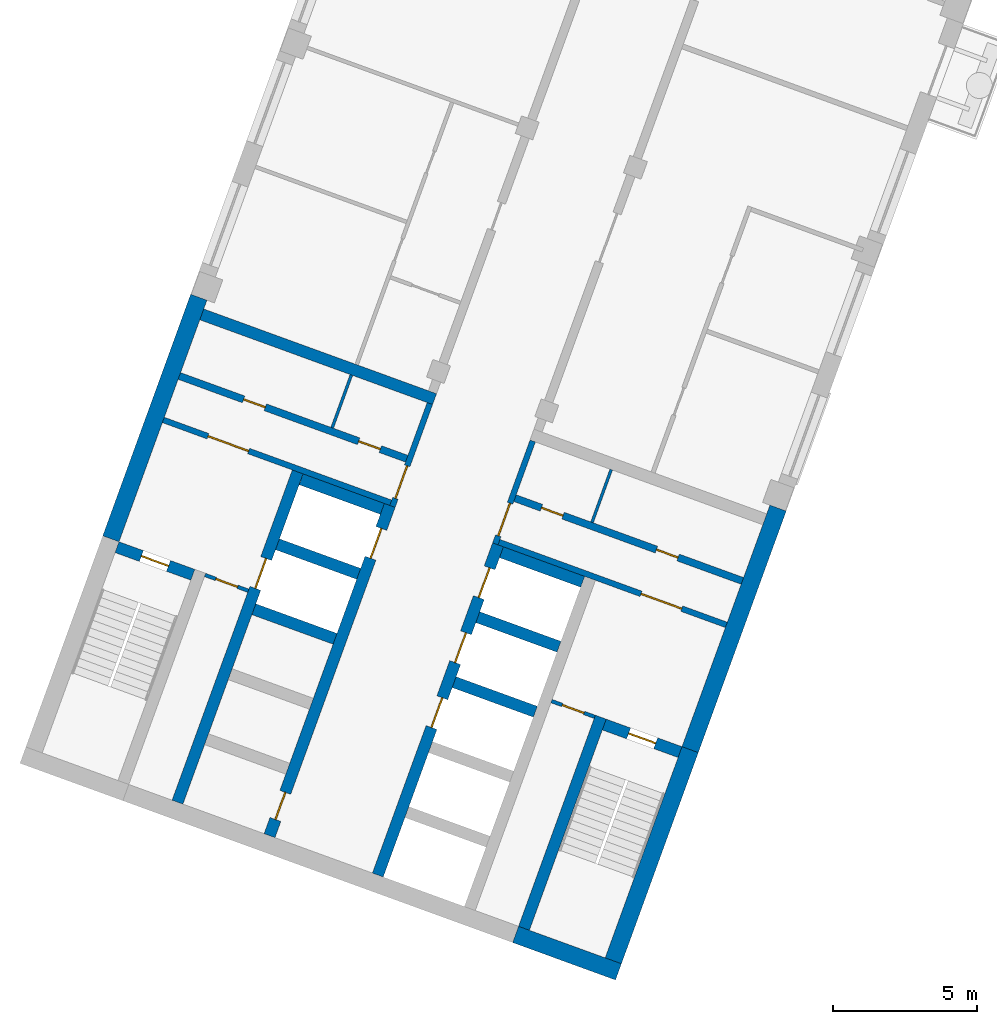
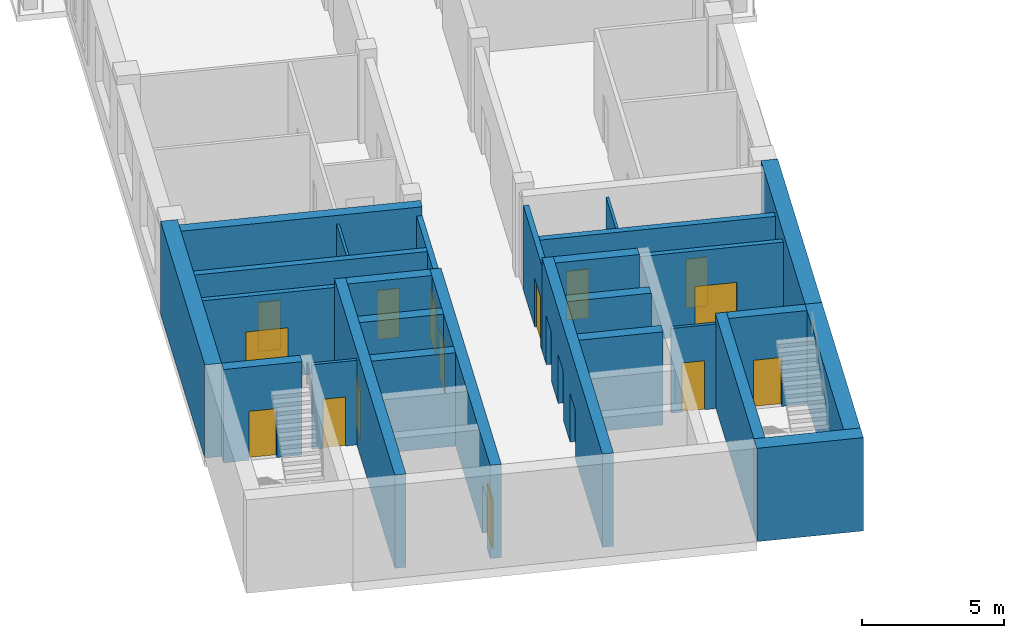
# One storey, part 4 of 12: 27 walls, 18 doors, 18 openings.
"""IFC4 building model written with IfcOpenShell, lengths in metres."""

from ifc_helpers import new_model, si_unit, direction, frame, frame_2d, origin, place, context, subcontext, project, spatial, rectangle, extrude, material, layer, layer_set, type_object, element, fill, save


model = new_model("IFC4")

# Units and contexts
model_context = context("Model", 3, precision=1e-05, world=origin(), true_north=direction((0.0, 1.0)))
body_context = subcontext(model_context, "Body", "Model", "MODEL_VIEW")
ifc_project = project(units=[si_unit("LENGTHUNIT", "METRE"), si_unit("AREAUNIT", "SQUARE_METRE"), si_unit("VOLUMEUNIT", "CUBIC_METRE"), si_unit("PLANEANGLEUNIT", "RADIAN"), si_unit("MASSUNIT", "GRAM", prefix="KILO")], contexts=[model_context])

# Site, building, storey
site_placement = place(None, origin())
site = spatial("IfcSite", under=ifc_project, at=site_placement, CompositionType="ELEMENT")
building_placement = place(site_placement, origin())
building = spatial("IfcBuilding", under=site, at=building_placement, Name="Skarvind Civic Tower", CompositionType="ELEMENT")
storey_placement = place(building_placement, frame((0.0, 0.0, 117.0)))
storey = spatial("IfcBuildingStorey", under=building, at=storey_placement, Name="L27", CompositionType="ELEMENT", Elevation=117.0)

# Wall, opening, door
ifc_material_1 = material(Name="Fire-rated masonry partition", Category="masonry")
ifc_layer_1 = layer(ifc_material_1, 0.199951171875)
ifc_layer_set_1 = layer_set([ifc_layer_1], Name="Core enclosure wall 200")
wall_type_1 = type_object("IfcWallType", Name="Core enclosure wall 200", PredefinedType="PARTITIONING", material=ifc_layer_set_1)
wall_1_placement = place(storey_placement, frame((31.491455078125, 93.693359375, 0.0), z_axis=(0.0, 0.0, 1.0), x_axis=(0.341995824804, 0.939701471648, 0.0)))
wall_1 = element("IfcWall", 1, at=wall_1_placement, inside=storey, type_object=wall_type_1, Name="Core wall C2", PredefinedType="PARTITIONING", context=body_context, shape_type="SweptSolid", body=[
    extrude(rectangle(XDim=3.800048828125, YDim=0.199951171875, at=frame_2d((1.89990234375, 0.0))), origin(), (0.0, 0.0, 1.0), 3.625),
])
opening_1_placement = place(wall_1_placement, frame((0.300048828125, 0.0, 0.0)))
opening_1 = element("IfcOpeningElement", 2, at=opening_1_placement, cuts=wall_1, Name="Opening D-L27-C2-06", PredefinedType="OPENING", context=body_context, shape_type="SweptSolid", body=[
    extrude(rectangle(XDim=1.199951171875, YDim=2.10009765625, at=frame_2d((0.60009765625, 1.050048828125))), frame((0.0, 0.10986328125, 0.0), z_axis=(0.0, -1.0, 0.0), x_axis=(1.0, 0.0, 0.0)), (0.0, 0.0, 1.0), 0.219970703125),
])
ifc_material_2 = material(Name="Fire-rated steel door", Category="steel")
door_type_1 = type_object("IfcDoorType", Name="Core lobby door 1200", OperationType="NOTDEFINED", PredefinedType="DOOR", material=ifc_material_2)
door_1_placement = place(opening_1_placement, origin())
door_1 = element("IfcDoor", 3, at=door_1_placement, inside=storey, type_object=door_type_1, Name="Fire door", OperationType="DOUBLE_DOOR_SINGLE_SWING", OverallHeight=2.10009765625, OverallWidth=1.199951171875, PredefinedType="DOOR", context=body_context, shape_type="SweptSolid", body=[
    extrude(rectangle(XDim=1.199951171875, YDim=2.10009765625, at=frame_2d((0.60009765625, 1.050048828125))), frame((0.0, 0.02490234375, 0.0), z_axis=(0.0, -1.0, 0.0), x_axis=(1.0, 0.0, 0.0)), (0.0, 0.0, 1.0), 0.050048828125),
])
fill(opening_1, door_1)

wall_2_placement = place(storey_placement, frame((23.5380859375, 96.6943359375, 0.0), z_axis=(0.0, 0.0, 1.0), x_axis=(0.939691552312, -0.342023078919, 0.0)))
wall_2 = element("IfcWall", 4, at=wall_2_placement, inside=storey, type_object=wall_type_1, Name="Core wall C2", PredefinedType="PARTITIONING", context=body_context, shape_type="SweptSolid", body=[
    extrude(rectangle(XDim=8.400146484375, YDim=0.199951171875, at=frame_2d((4.2001953125, 0.0))), origin(), (0.0, 0.0, 1.0), 3.625),
])
opening_2_placement = place(wall_2_placement, frame((1.64990234375, 0.0, 0.0)))
opening_2 = element("IfcOpeningElement", 5, at=opening_2_placement, cuts=wall_2, Name="Opening D-L27-C2-07", PredefinedType="OPENING", context=body_context, shape_type="SweptSolid", body=[
    extrude(rectangle(XDim=1.5, YDim=2.10009765625, at=frame_2d((0.75, 1.050048828125))), frame((0.0, 0.10986328125, 0.0), z_axis=(0.0, -1.0, 0.0), x_axis=(1.0, 0.0, 0.0)), (0.0, 0.0, 1.0), 0.219970703125),
])
door_type_2 = type_object("IfcDoorType", Name="Fire door 1500", OperationType="NOTDEFINED", PredefinedType="DOOR", material=ifc_material_2)
door_2_placement = place(opening_2_placement, origin())
door_2 = element("IfcDoor", 6, at=door_2_placement, inside=storey, type_object=door_type_2, Name="Fire door", OperationType="DOUBLE_DOOR_SINGLE_SWING", OverallHeight=2.10009765625, OverallWidth=1.5, PredefinedType="DOOR", context=body_context, shape_type="SweptSolid", body=[
    extrude(rectangle(XDim=1.5, YDim=2.10009765625, at=frame_2d((0.75, 1.050048828125))), frame((0.0, 0.02490234375, 0.0), z_axis=(0.0, -1.0, 0.0), x_axis=(1.0, 0.0, 0.0)), (0.0, 0.0, 1.0), 0.050048828125),
])
fill(opening_2, door_2)

wall_3_placement = place(storey_placement, frame((36.36181640625, 95.96435546875, 0.0), z_axis=(0.0, 0.0, 1.0), x_axis=(-0.341995824804, -0.939701471648, 0.0)))
wall_3 = element("IfcWall", 7, at=wall_3_placement, inside=storey, type_object=wall_type_1, Name="Core wall C2", PredefinedType="PARTITIONING", context=body_context, shape_type="SweptSolid", body=[
    extrude(rectangle(XDim=3.800048828125, YDim=0.199951171875, at=frame_2d((1.89990234375, 0.0))), origin(), (0.0, 0.0, 1.0), 3.625),
])
opening_3_placement = place(wall_3_placement, frame((2.300048828125, 0.0, 0.0)))
opening_3 = element("IfcOpeningElement", 8, at=opening_3_placement, cuts=wall_3, Name="Opening D-L27-C2-12", PredefinedType="OPENING", context=body_context, shape_type="SweptSolid", body=[
    extrude(rectangle(XDim=1.199951171875, YDim=2.10009765625, at=frame_2d((0.60009765625, 1.050048828125))), frame((0.0, 0.10986328125, 0.0), z_axis=(0.0, -1.0, 0.0), x_axis=(1.0, 0.0, 0.0)), (0.0, 0.0, 1.0), 0.219970703125),
])
door_3_placement = place(opening_3_placement, origin())
door_3 = element("IfcDoor", 9, at=door_3_placement, inside=storey, type_object=door_type_1, Name="Fire door", OperationType="DOUBLE_DOOR_SINGLE_SWING", OverallHeight=2.10009765625, OverallWidth=1.199951171875, PredefinedType="DOOR", context=body_context, shape_type="SweptSolid", body=[
    extrude(rectangle(XDim=1.199951171875, YDim=2.10009765625, at=frame_2d((0.60009765625, 1.050048828125))), frame((0.0, 0.02490234375, 0.0), z_axis=(0.0, -1.0, 0.0), x_axis=(1.0, 0.0, 0.0)), (0.0, 0.0, 1.0), 0.050048828125),
])
fill(opening_3, door_3)

wall_4_placement = place(storey_placement, frame((35.1904296875, 92.453369140625, 0.0), z_axis=(0.0, 0.0, 1.0), x_axis=(0.939691552312, -0.342023078919, 0.0)))
wall_4 = element("IfcWall", 10, at=wall_4_placement, inside=storey, type_object=wall_type_1, Name="Core wall C2", PredefinedType="PARTITIONING", context=body_context, shape_type="SweptSolid", body=[
    extrude(rectangle(XDim=8.400146484375, YDim=0.199951171875, at=frame_2d((4.2001953125, 0.0))), origin(), (0.0, 0.0, 1.0), 3.625),
])
opening_4_placement = place(wall_4_placement, frame((5.25, 0.0, 0.0)))
opening_4 = element("IfcOpeningElement", 11, at=opening_4_placement, cuts=wall_4, Name="Opening D-L27-C2-13", PredefinedType="OPENING", context=body_context, shape_type="SweptSolid", body=[
    extrude(rectangle(XDim=1.5, YDim=2.10009765625, at=frame_2d((0.75, 1.050048828125))), frame((0.0, 0.10986328125, 0.0), z_axis=(0.0, -1.0, 0.0), x_axis=(1.0, 0.0, 0.0)), (0.0, 0.0, 1.0), 0.219970703125),
])
door_4_placement = place(opening_4_placement, origin())
door_4 = element("IfcDoor", 12, at=door_4_placement, inside=storey, type_object=door_type_2, Name="Fire door", OperationType="DOUBLE_DOOR_SINGLE_SWING", OverallHeight=2.10009765625, OverallWidth=1.5, PredefinedType="DOOR", context=body_context, shape_type="SweptSolid", body=[
    extrude(rectangle(XDim=1.5, YDim=2.10009765625, at=frame_2d((0.75, 1.050048828125))), frame((0.0, 0.02490234375, 0.0), z_axis=(0.0, -1.0, 0.0), x_axis=(1.0, 0.0, 0.0)), (0.0, 0.0, 1.0), 0.050048828125),
])
fill(opening_4, door_4)

# Walls
ifc_material_3 = material(Name="Fire-rated plasterboard partition")
ifc_layer_2 = layer(ifc_material_3, 0.10009765625)
ifc_layer_set_2 = layer_set([ifc_layer_2], Name="Core partition wall 100")
wall_type_2 = type_object("IfcWallType", Name="Core partition wall 100", PredefinedType="PARTITIONING", material=ifc_layer_set_2)
wall_5_placement = place(storey_placement, frame((29.399169921875, 96.423583984375, 0.0), z_axis=(0.0, 0.0, 1.0), x_axis=(0.341913947243, 0.939731266204, 0.0)))
element("IfcWall", 13, at=wall_5_placement, inside=storey, type_object=wall_type_2, Name="Core wall C2", PredefinedType="PARTITIONING", context=body_context, shape_type="SweptSolid", body=[
    extrude(rectangle(XDim=1.949951171875, YDim=0.10009765625, at=frame_2d((0.97509765625, 0.0))), origin(), (0.0, 0.0, 1.0), 3.625),
])
wall_6_placement = place(storey_placement, frame((39.087158203125, 94.97265625, 0.0), z_axis=(0.0, 0.0, 1.0), x_axis=(-0.342024501273, -0.939691034611, 0.0)))
element("IfcWall", 14, at=wall_6_placement, inside=storey, type_object=wall_type_2, Name="Core wall C2", PredefinedType="PARTITIONING", context=body_context, shape_type="SweptSolid", body=[
    extrude(rectangle(XDim=1.9501953125, YDim=0.10009765625, at=frame_2d((0.97509765625, 0.0))), origin(), (0.0, 0.0, 1.0), 3.625),
])
ifc_material_4 = material(Name="Concrete C80", Category="concrete")
ifc_layer_3 = layer(ifc_material_4, 0.39990234375)
ifc_layer_set_3 = layer_set([ifc_layer_3], Name="Core wall 400 C80")
wall_type_3 = type_object("IfcWallType", Name="Core wall 400 C80", PredefinedType="SHEAR", material=ifc_layer_set_3)
wall_7_placement = place(storey_placement, frame((36.057861328125, 79.04833984375, 0.0), z_axis=(0.0, 0.0, 1.0), x_axis=(0.342016982193, 0.939693771338, 0.0)))
element("IfcWall", 15, at=wall_7_placement, inside=storey, type_object=wall_type_3, Name="Core wall C2 south stair inner L27", PredefinedType="SHEAR", context=body_context, shape_type="SweptSolid", body=[
    extrude(rectangle(XDim=7.800048828125, YDim=0.39990234375, at=frame_2d((3.89990234375, 0.0))), origin(), (0.0, 0.0, 1.0), 4.0),
])

# Wall, opening, door
wall_8_placement = place(storey_placement, frame((41.476318359375, 85.163818359375, 0.0), z_axis=(0.0, 0.0, 1.0), x_axis=(-0.939678810556, 0.342058084236, 0.0)))
wall_8 = element("IfcWall", 16, at=wall_8_placement, inside=storey, type_object=wall_type_3, Name="Core wall C2 south stair end L27", PredefinedType="SHEAR", context=body_context, shape_type="SweptSolid", body=[
    extrude(rectangle(XDim=2.800048828125, YDim=0.39990234375, at=frame_2d((1.39990234375, 0.0))), origin(), (0.0, 0.0, 1.0), 4.0),
])
opening_5_placement = place(wall_8_placement, frame((0.89990234375, 0.0, 0.0)))
opening_5 = element("IfcOpeningElement", 17, at=opening_5_placement, cuts=wall_8, Name="Opening D-L27-C2-14", PredefinedType="OPENING", context=body_context, shape_type="SweptSolid", body=[
    extrude(rectangle(XDim=1.0, YDim=2.10009765625, at=frame_2d((0.5, 1.050048828125))), frame((0.0, 0.2099609375, 0.0), z_axis=(0.0, -1.0, 0.0), x_axis=(1.0, 0.0, 0.0)), (0.0, 0.0, 1.0), 0.419921875),
])
door_type_3 = type_object("IfcDoorType", Name="Fire door 1000", OperationType="NOTDEFINED", PredefinedType="DOOR", material=ifc_material_2)
door_5_placement = place(opening_5_placement, origin())
door_5 = element("IfcDoor", 18, at=door_5_placement, inside=storey, type_object=door_type_3, Name="Fire door", OperationType="SINGLE_SWING_RIGHT", OverallHeight=2.10009765625, OverallWidth=1.0, PredefinedType="DOOR", context=body_context, shape_type="SweptSolid", body=[
    extrude(rectangle(XDim=1.0, YDim=2.10009765625, at=frame_2d((0.5, 1.050048828125))), frame((0.0, 0.02490234375, 0.0), z_axis=(0.0, -1.0, 0.0), x_axis=(1.0, 0.0, 0.0)), (0.0, 0.0, 1.0), 0.050048828125),
])
fill(opening_5, door_5)

wall_9_placement = place(storey_placement, frame((24.56201171875, 91.3203125, 0.0), z_axis=(0.0, 0.0, 1.0), x_axis=(-0.939717030584, 0.341953070509, 0.0)))
wall_9 = element("IfcWall", 19, at=wall_9_placement, inside=storey, type_object=wall_type_3, Name="Core wall C2 north stair end L27", PredefinedType="SHEAR", context=body_context, shape_type="SweptSolid", body=[
    extrude(rectangle(XDim=2.800048828125, YDim=0.39990234375, at=frame_2d((1.39990234375, 0.0))), origin(), (0.0, 0.0, 1.0), 4.0),
])
opening_6_placement = place(wall_9_placement, frame((0.89990234375, 0.0, 0.0)))
opening_6 = element("IfcOpeningElement", 20, at=opening_6_placement, cuts=wall_9, Name="Opening D-L27-C2-08", PredefinedType="OPENING", context=body_context, shape_type="SweptSolid", body=[
    extrude(rectangle(XDim=1.0, YDim=2.10009765625, at=frame_2d((0.5, 1.050048828125))), frame((0.0, 0.2099609375, 0.0), z_axis=(0.0, -1.0, 0.0), x_axis=(1.0, 0.0, 0.0)), (0.0, 0.0, 1.0), 0.419921875),
])
door_6_placement = place(opening_6_placement, origin())
door_6 = element("IfcDoor", 21, at=door_6_placement, inside=storey, type_object=door_type_3, Name="Fire door", OperationType="SINGLE_SWING_LEFT", OverallHeight=2.10009765625, OverallWidth=1.0, PredefinedType="DOOR", context=body_context, shape_type="SweptSolid", body=[
    extrude(rectangle(XDim=1.0, YDim=2.10009765625, at=frame_2d((0.5, 1.050048828125))), frame((0.0, 0.02490234375, 0.0), z_axis=(0.0, -1.0, 0.0), x_axis=(1.0, 0.0, 0.0)), (0.0, 0.0, 1.0), 0.050048828125),
])
fill(opening_6, door_6)

# Wall, openings, doors
wall_10_placement = place(storey_placement, frame((30.983642578125, 80.895263671875, 0.0), z_axis=(0.0, 0.0, 1.0), x_axis=(0.342021021735, 0.939692301071, 0.0)))
wall_10 = element("IfcWall", 22, at=wall_10_placement, inside=storey, type_object=wall_type_3, Name="Core wall C2 south lift row front L27", PredefinedType="SHEAR", context=body_context, shape_type="SweptSolid", body=[
    extrude(rectangle(XDim=12.199951171875, YDim=0.39990234375, at=frame_2d((6.10009765625, 0.0))), origin(), (0.0, 0.0, 1.0), 4.0),
])
opening_7_placement = place(wall_10_placement, frame((5.449951171875, 0.0, 0.0)))
opening_7 = element("IfcOpeningElement", 23, at=opening_7_placement, cuts=wall_10, Name="Opening LD29208", PredefinedType="OPENING", context=body_context, shape_type="SweptSolid", body=[
    extrude(rectangle(XDim=1.10009765625, YDim=2.10009765625, at=frame_2d((0.550048828125, 1.050048828125))), frame((0.0, 0.2099609375, 0.0), z_axis=(0.0, -1.0, 0.0), x_axis=(1.0, 0.0, 0.0)), (0.0, 0.0, 1.0), 0.419921875),
])
opening_8_placement = place(wall_10_placement, frame((7.85009765625, 0.0, 0.0)))
opening_8 = element("IfcOpeningElement", 24, at=opening_8_placement, cuts=wall_10, Name="Opening LD29209", PredefinedType="OPENING", context=body_context, shape_type="SweptSolid", body=[
    extrude(rectangle(XDim=1.10009765625, YDim=2.10009765625, at=frame_2d((0.550048828125, 1.050048828125))), frame((0.0, 0.2099609375, 0.0), z_axis=(0.0, -1.0, 0.0), x_axis=(1.0, 0.0, 0.0)), (0.0, 0.0, 1.0), 0.419921875),
])
opening_9_placement = place(wall_10_placement, frame((10.25, 0.0, 0.0)))
opening_9 = element("IfcOpeningElement", 25, at=opening_9_placement, cuts=wall_10, Name="Opening LD29210", PredefinedType="OPENING", context=body_context, shape_type="SweptSolid", body=[
    extrude(rectangle(XDim=1.10009765625, YDim=2.10009765625, at=frame_2d((0.550048828125, 1.050048828125))), frame((0.0, 0.2099609375, 0.0), z_axis=(0.0, -1.0, 0.0), x_axis=(1.0, 0.0, 0.0)), (0.0, 0.0, 1.0), 0.419921875),
])
ifc_material_5 = material(Name="Stainless steel landing door", Category="steel")
door_type_4 = type_object("IfcDoorType", Name="Lift landing door 1100", OperationType="DOUBLE_DOOR_SLIDING", PredefinedType="DOOR", material=ifc_material_5)
door_7_placement = place(opening_7_placement, origin())
door_7 = element("IfcDoor", 26, at=door_7_placement, inside=storey, type_object=door_type_4, Name="Lift landing door", OperationType="DOUBLE_DOOR_SLIDING", OverallHeight=2.10009765625, OverallWidth=1.10009765625, PredefinedType="DOOR", context=body_context, shape_type="SweptSolid", body=[
    extrude(rectangle(XDim=1.10009765625, YDim=2.10009765625, at=frame_2d((0.550048828125, 1.050048828125))), frame((0.0, 0.02490234375, 0.0), z_axis=(0.0, -1.0, 0.0), x_axis=(1.0, 0.0, 0.0)), (0.0, 0.0, 1.0), 0.050048828125),
])
fill(opening_7, door_7)
door_8_placement = place(opening_8_placement, origin())
door_8 = element("IfcDoor", 27, at=door_8_placement, inside=storey, type_object=door_type_4, Name="Lift landing door", OperationType="DOUBLE_DOOR_SLIDING", OverallHeight=2.10009765625, OverallWidth=1.10009765625, PredefinedType="DOOR", context=body_context, shape_type="SweptSolid", body=[
    extrude(rectangle(XDim=1.10009765625, YDim=2.10009765625, at=frame_2d((0.550048828125, 1.050048828125))), frame((0.0, 0.02490234375, 0.0), z_axis=(0.0, -1.0, 0.0), x_axis=(1.0, 0.0, 0.0)), (0.0, 0.0, 1.0), 0.050048828125),
])
fill(opening_8, door_8)
door_9_placement = place(opening_9_placement, origin())
door_9 = element("IfcDoor", 28, at=door_9_placement, inside=storey, type_object=door_type_4, Name="Lift landing door", OperationType="DOUBLE_DOOR_SLIDING", OverallHeight=2.10009765625, OverallWidth=1.10009765625, PredefinedType="DOOR", context=body_context, shape_type="SweptSolid", body=[
    extrude(rectangle(XDim=1.10009765625, YDim=2.10009765625, at=frame_2d((0.550048828125, 1.050048828125))), frame((0.0, 0.02490234375, 0.0), z_axis=(0.0, -1.0, 0.0), x_axis=(1.0, 0.0, 0.0)), (0.0, 0.0, 1.0), 0.050048828125),
])
fill(opening_9, door_9)

# Walls
for number, where, z_axis, x_axis, name in (
    (29, (36.453125, 86.56640625, 0.0), (0.0, 0.0, 1.0), (-0.939686455819, 0.342037080957, 0.0), "Core wall C2 south lift row division 3 L27"),
    (30, (37.27392578125, 88.82177734375, 0.0), (0.0, 0.0, 1.0), (-0.939686455819, 0.342037080957, 0.0), "Core wall C2 south lift row division 4 L27"),
):
    element("IfcWall", number, at=place(storey_placement, frame(where, z_axis=z_axis, x_axis=x_axis)), inside=storey, type_object=wall_type_3, Name=name, PredefinedType="SHEAR", context=body_context, shape_type="SweptSolid", body=[
        extrude(rectangle(XDim=3.0, YDim=0.39990234375, at=frame_2d((1.5, 0.0))), origin(), (0.0, 0.0, 1.0), 4.0),
    ])
wall_11_placement = place(storey_placement, frame((38.0947265625, 91.076904296875, 0.0), z_axis=(0.0, 0.0, 1.0), x_axis=(-0.939676934218, 0.342063238742, 0.0)))
element("IfcWall", 31, at=wall_11_placement, inside=storey, type_object=wall_type_3, Name="Core wall C2 south lift row division 5 L27", PredefinedType="SHEAR", context=body_context, shape_type="SweptSolid", body=[
    extrude(rectangle(XDim=2.999755859375, YDim=0.39990234375, at=frame_2d((1.5, 0.0))), origin(), (0.0, 0.0, 1.0), 4.0),
])

# Wall, openings, doors
wall_12_placement = place(storey_placement, frame((27.224853515625, 82.26318359375, 0.0), z_axis=(0.0, 0.0, 1.0), x_axis=(0.342014590177, 0.939694641948, 0.0)))
wall_12 = element("IfcWall", 32, at=wall_12_placement, inside=storey, type_object=wall_type_3, Name="Core wall C2 north lift row front L27", PredefinedType="SHEAR", context=body_context, shape_type="SweptSolid", body=[
    extrude(rectangle(XDim=12.2001953125, YDim=0.39990234375, at=frame_2d((6.10009765625, 0.0))), origin(), (0.0, 0.0, 1.0), 4.0),
])
opening_10_placement = place(wall_12_placement, frame((10.25, 0.0, 0.0)))
opening_10 = element("IfcOpeningElement", 33, at=opening_10_placement, cuts=wall_12, Name="Opening LD29205", PredefinedType="OPENING", context=body_context, shape_type="SweptSolid", body=[
    extrude(rectangle(XDim=1.10009765625, YDim=2.10009765625, at=frame_2d((0.550048828125, 1.050048828125))), frame((0.0, 0.2099609375, 0.0), z_axis=(0.0, -1.0, 0.0), x_axis=(1.0, 0.0, 0.0)), (0.0, 0.0, 1.0), 0.419921875),
])
opening_11_placement = place(wall_12_placement, frame((0.60009765625, 0.0, 0.0)))
opening_11 = element("IfcOpeningElement", 34, at=opening_11_placement, cuts=wall_12, Name="Opening D-L27-C2-05", PredefinedType="OPENING", context=body_context, shape_type="SweptSolid", body=[
    extrude(rectangle(XDim=1.0, YDim=2.10009765625, at=frame_2d((0.5, 1.050048828125))), frame((0.0, 0.2099609375, 0.0), z_axis=(0.0, -1.0, 0.0), x_axis=(1.0, 0.0, 0.0)), (0.0, 0.0, 1.0), 0.419921875),
])
door_10_placement = place(opening_11_placement, origin())
door_10 = element("IfcDoor", 35, at=door_10_placement, inside=storey, type_object=door_type_3, Name="Fire door", OperationType="SINGLE_SWING_LEFT", OverallHeight=2.10009765625, OverallWidth=1.0, PredefinedType="DOOR", context=body_context, shape_type="SweptSolid", body=[
    extrude(rectangle(XDim=1.0, YDim=2.10009765625, at=frame_2d((0.5, 1.050048828125))), frame((0.0, 0.02490234375, 0.0), z_axis=(0.0, -1.0, 0.0), x_axis=(1.0, 0.0, 0.0)), (0.0, 0.0, 1.0), 0.050048828125),
])
fill(opening_11, door_10)
door_11_placement = place(opening_10_placement, origin())
door_11 = element("IfcDoor", 36, at=door_11_placement, inside=storey, type_object=door_type_4, Name="Lift landing door", OperationType="DOUBLE_DOOR_SLIDING", OverallHeight=2.10009765625, OverallWidth=1.10009765625, PredefinedType="DOOR", context=body_context, shape_type="SweptSolid", body=[
    extrude(rectangle(XDim=1.10009765625, YDim=2.10009765625, at=frame_2d((0.550048828125, 1.050048828125))), frame((0.0, 0.02490234375, 0.0), z_axis=(0.0, -1.0, 0.0), x_axis=(1.0, 0.0, 0.0)), (0.0, 0.0, 1.0), 0.050048828125),
])
fill(opening_10, door_11)

# Wall, opening, door
wall_13_placement = place(storey_placement, frame((24.02978515625, 83.426025390625, 0.0), z_axis=(0.0, 0.0, 1.0), x_axis=(0.342014590177, 0.939694641948, 0.0)))
wall_13 = element("IfcWall", 37, at=wall_13_placement, inside=storey, type_object=wall_type_3, Name="Core wall C2 north lift row back L27", PredefinedType="SHEAR", context=body_context, shape_type="SweptSolid", body=[
    extrude(rectangle(XDim=12.2001953125, YDim=0.39990234375, at=frame_2d((6.10009765625, 0.0))), origin(), (0.0, 0.0, 1.0), 4.0),
])
opening_12_placement = place(wall_13_placement, frame((7.89990234375, 0.0, 0.0)))
opening_12 = element("IfcOpeningElement", 38, at=opening_12_placement, cuts=wall_13, Name="Opening LD29204", PredefinedType="OPENING", context=body_context, shape_type="SweptSolid", body=[
    extrude(rectangle(XDim=1.10009765625, YDim=2.10009765625, at=frame_2d((0.550048828125, 1.050048828125))), frame((0.0, 0.2099609375, 0.0), z_axis=(0.0, -1.0, 0.0), x_axis=(1.0, 0.0, 0.0)), (0.0, 0.0, 1.0), 0.419921875),
])
door_12_placement = place(opening_12_placement, origin())
door_12 = element("IfcDoor", 39, at=door_12_placement, inside=storey, type_object=door_type_4, Name="Lift landing door", OperationType="DOUBLE_DOOR_SLIDING", OverallHeight=2.10009765625, OverallWidth=1.10009765625, PredefinedType="DOOR", context=body_context, shape_type="SweptSolid", body=[
    extrude(rectangle(XDim=1.10009765625, YDim=2.10009765625, at=frame_2d((0.550048828125, 1.050048828125))), frame((0.0, 0.02490234375, 0.0), z_axis=(0.0, -1.0, 0.0), x_axis=(1.0, 0.0, 0.0)), (0.0, 0.0, 1.0), 0.050048828125),
])
fill(opening_12, door_12)

# Walls
for number, where, z_axis, x_axis, name in (
    (40, (29.49951171875, 89.097412109375, 0.0), (0.0, 0.0, 1.0), (-0.939686455819, 0.342037080957, 0.0), "Core wall C2 north lift row division 3 L27"),
    (41, (30.3203125, 91.352783203125, 0.0), (0.0, 0.0, 1.0), (-0.939712609717, 0.341965219194, 0.0), "Core wall C2 north lift row division 4 L27"),
    (42, (31.14111328125, 93.60791015625, 0.0), (0.0, 0.0, 1.0), (-0.939686455819, 0.342037080957, 0.0), "Core wall C2 north lift row division 5 L27"),
):
    element("IfcWall", number, at=place(storey_placement, frame(where, z_axis=z_axis, x_axis=x_axis)), inside=storey, type_object=wall_type_3, Name=name, PredefinedType="SHEAR", context=body_context, shape_type="SweptSolid", body=[
        extrude(rectangle(XDim=3.0, YDim=0.39990234375, at=frame_2d((1.5, 0.0))), origin(), (0.0, 0.0, 1.0), 4.0),
    ])
wall_14_placement = place(storey_placement, frame((32.953369140625, 97.417724609375, 0.0), z_axis=(0.0, 0.0, 1.0), x_axis=(-0.93969060187, 0.342025690201, 0.0)))
element("IfcWall", 43, at=wall_14_placement, inside=storey, type_object=wall_type_3, Name="Core wall C2 north inner face L27", PredefinedType="SHEAR", context=body_context, shape_type="SweptSolid", body=[
    extrude(rectangle(XDim=8.599853515625, YDim=0.39990234375, at=frame_2d((4.2998046875, 0.0))), origin(), (0.0, 0.0, 1.0), 4.0),
])
ifc_layer_4 = layer(ifc_material_4, 0.60009765625)
ifc_layer_set_4 = layer_set([ifc_layer_4], Name="Core wall 600 C80")
wall_type_4 = type_object("IfcWallType", Name="Core wall 600 C80", PredefinedType="SHEAR", material=ifc_layer_set_4)
wall_15_placement = place(storey_placement, frame((39.338134765625, 77.53515625, 0.0), z_axis=(0.0, 0.0, 1.0), x_axis=(-0.939701471648, 0.341995824804, 0.0)))
element("IfcWall", 44, at=wall_15_placement, inside=storey, type_object=wall_type_4, Name="Core wall C2 tip at the south stair L27", PredefinedType="SHEAR", context=body_context, shape_type="SweptSolid", body=[
    extrude(rectangle(XDim=3.800048828125, YDim=0.60009765625, at=frame_2d((1.89990234375, 0.0))), origin(), (0.0, 0.0, 1.0), 4.0),
])
wall_16_placement = place(storey_placement, frame((39.158935546875, 77.919677734375, 0.0), z_axis=(0.0, 0.0, 1.0), x_axis=(0.342016982193, 0.939693771338, 0.0)))
element("IfcWall", 45, at=wall_16_placement, inside=storey, type_object=wall_type_4, Name="Core wall C2 south side at the stair L27", PredefinedType="SHEAR", context=body_context, shape_type="SweptSolid", body=[
    extrude(rectangle(XDim=7.800048828125, YDim=0.60009765625, at=frame_2d((3.89990234375, 0.0))), origin(), (0.0, 0.0, 1.0), 4.0),
])
for number, where, z_axis, x_axis, name in (
    (46, (41.82666015625, 85.249267578125, 0.0), (0.0, 0.0, 1.0), (0.342017595281, 0.939693548195, 0.0), "Core wall C2 south side L27"),
    (47, (21.71728515625, 92.568359375, 0.0), (0.0, 0.0, 1.0), (0.342017595281, 0.939693548195, 0.0), "Core wall C2 north side L27"),
):
    element("IfcWall", number, at=place(storey_placement, frame(where, z_axis=z_axis, x_axis=x_axis)), inside=storey, type_object=wall_type_4, Name=name, PredefinedType="SHEAR", context=body_context, shape_type="SweptSolid", body=[
        extrude(rectangle(XDim=8.925048828125, YDim=0.60009765625, at=frame_2d((4.46240234375, 0.0))), origin(), (0.0, 0.0, 1.0), 4.0),
    ])

# Wall, opening, door
ifc_layer_5 = layer(ifc_material_1, 0.125)
ifc_layer_set_5 = layer_set([ifc_layer_5], Name="Riser wall 125")
wall_type_5 = type_object("IfcWallType", Name="Riser wall 125", PredefinedType="PARTITIONING", material=ifc_layer_set_5)
wall_17_placement = place(storey_placement, frame((24.98486328125, 91.3125, 0.0), z_axis=(0.0, 0.0, 1.0), x_axis=(0.939708740826, -0.341975850632, 0.0)))
wall_17 = element("IfcWall", 48, at=wall_17_placement, inside=storey, type_object=wall_type_5, Name="Core wall C2", PredefinedType="PARTITIONING", context=body_context, shape_type="SweptSolid", body=[
    extrude(rectangle(XDim=1.599853515625, YDim=0.125, at=frame_2d((0.7998046875, 0.0))), origin(), (0.0, 0.0, 1.0), 3.625),
])
opening_13_placement = place(wall_17_placement, frame((0.39990234375, 0.0, 0.0)))
opening_13 = element("IfcOpeningElement", 49, at=opening_13_placement, cuts=wall_17, Name="Opening D-L27-C2-09", PredefinedType="OPENING", context=body_context, shape_type="SweptSolid", body=[
    extrude(rectangle(XDim=0.800048828125, YDim=2.10009765625, at=frame_2d((0.39990234375, 1.050048828125))), frame((0.0, 0.072509765625, 0.0), z_axis=(0.0, -1.0, 0.0), x_axis=(1.0, 0.0, 0.0)), (0.0, 0.0, 1.0), 0.14501953125),
])
door_type_5 = type_object("IfcDoorType", Name="Core riser door 800", OperationType="NOTDEFINED", PredefinedType="DOOR", material=ifc_material_2)
door_13_placement = place(opening_13_placement, origin())
door_13 = element("IfcDoor", 50, at=door_13_placement, inside=storey, type_object=door_type_5, Name="Riser door", OperationType="SINGLE_SWING_RIGHT", OverallHeight=2.10009765625, OverallWidth=0.800048828125, PredefinedType="DOOR", context=body_context, shape_type="SweptSolid", body=[
    extrude(rectangle(XDim=0.800048828125, YDim=2.10009765625, at=frame_2d((0.39990234375, 1.050048828125))), frame((0.0, 0.02490234375, 0.0), z_axis=(0.0, -1.0, 0.0), x_axis=(1.0, 0.0, 0.0)), (0.0, 0.0, 1.0), 0.050048828125),
])
fill(opening_13, door_13)

wall_18_placement = place(storey_placement, frame((37.012939453125, 86.934814453125, 0.0), z_axis=(0.0, 0.0, 1.0), x_axis=(0.939659694648, -0.342110593602, 0.0)))
wall_18 = element("IfcWall", 51, at=wall_18_placement, inside=storey, type_object=wall_type_5, Name="Core wall C2", PredefinedType="PARTITIONING", context=body_context, shape_type="SweptSolid", body=[
    extrude(rectangle(XDim=1.599853515625, YDim=0.125, at=frame_2d((0.7998046875, 0.0))), origin(), (0.0, 0.0, 1.0), 3.625),
])
opening_14_placement = place(wall_18_placement, frame((0.39990234375, 0.0, 0.0)))
opening_14 = element("IfcOpeningElement", 52, at=opening_14_placement, cuts=wall_18, Name="Opening D-L27-C2-15", PredefinedType="OPENING", context=body_context, shape_type="SweptSolid", body=[
    extrude(rectangle(XDim=0.800048828125, YDim=2.10009765625, at=frame_2d((0.39990234375, 1.050048828125))), frame((0.0, 0.072509765625, 0.0), z_axis=(0.0, -1.0, 0.0), x_axis=(1.0, 0.0, 0.0)), (0.0, 0.0, 1.0), 0.14501953125),
])
door_14_placement = place(opening_14_placement, origin())
door_14 = element("IfcDoor", 53, at=door_14_placement, inside=storey, type_object=door_type_5, Name="Riser door", OperationType="SINGLE_SWING_LEFT", OverallHeight=2.10009765625, OverallWidth=0.800048828125, PredefinedType="DOOR", context=body_context, shape_type="SweptSolid", body=[
    extrude(rectangle(XDim=0.800048828125, YDim=2.10009765625, at=frame_2d((0.39990234375, 1.050048828125))), frame((0.0, 0.02490234375, 0.0), z_axis=(0.0, -1.0, 0.0), x_axis=(1.0, 0.0, 0.0)), (0.0, 0.0, 1.0), 0.050048828125),
])
fill(opening_14, door_14)

# Wall, openings, doors
ifc_layer_6 = layer(ifc_material_1, 0.25)
ifc_layer_set_6 = layer_set([ifc_layer_6], Name="Service block wall 250")
wall_type_6 = type_object("IfcWallType", Name="Service block wall 250", PredefinedType="PARTITIONING", material=ifc_layer_set_6)
wall_19_placement = place(storey_placement, frame((24.093994140625, 98.221435546875, 0.0), z_axis=(0.0, 0.0, 1.0), x_axis=(0.939691552312, -0.342023078919, 0.0)))
wall_19 = element("IfcWall", 54, at=wall_19_placement, inside=storey, type_object=wall_type_6, Name="Core wall C2", PredefinedType="PARTITIONING", context=body_context, shape_type="SweptSolid", body=[
    extrude(rectangle(XDim=8.400146484375, YDim=0.25, at=frame_2d((4.2001953125, 0.0))), origin(), (0.0, 0.0, 1.0), 3.625),
])
opening_15_placement = place(wall_19_placement, frame((6.625, 0.0, 0.0)))
opening_15 = element("IfcOpeningElement", 55, at=opening_15_placement, cuts=wall_19, Name="Opening D-L27-C2-10", PredefinedType="OPENING", context=body_context, shape_type="SweptSolid", body=[
    extrude(rectangle(XDim=0.800048828125, YDim=2.10009765625, at=frame_2d((0.39990234375, 1.050048828125))), frame((0.0, 0.135009765625, 0.0), z_axis=(0.0, -1.0, 0.0), x_axis=(1.0, 0.0, 0.0)), (0.0, 0.0, 1.0), 0.27001953125),
])
opening_16_placement = place(wall_19_placement, frame((2.375, 0.0, 0.0)))
opening_16 = element("IfcOpeningElement", 56, at=opening_16_placement, cuts=wall_19, Name="Opening D-L27-C2-11", PredefinedType="OPENING", context=body_context, shape_type="SweptSolid", body=[
    extrude(rectangle(XDim=0.800048828125, YDim=2.10009765625, at=frame_2d((0.39990234375, 1.050048828125))), frame((0.0, 0.135009765625, 0.0), z_axis=(0.0, -1.0, 0.0), x_axis=(1.0, 0.0, 0.0)), (0.0, 0.0, 1.0), 0.27001953125),
])
door_15_placement = place(opening_15_placement, origin())
door_15 = element("IfcDoor", 57, at=door_15_placement, inside=storey, type_object=door_type_5, Name="Riser door", OperationType="SINGLE_SWING_LEFT", OverallHeight=2.10009765625, OverallWidth=0.800048828125, PredefinedType="DOOR", context=body_context, shape_type="SweptSolid", body=[
    extrude(rectangle(XDim=0.800048828125, YDim=2.10009765625, at=frame_2d((0.39990234375, 1.050048828125))), frame((0.0, 0.02490234375, 0.0), z_axis=(0.0, -1.0, 0.0), x_axis=(1.0, 0.0, 0.0)), (0.0, 0.0, 1.0), 0.050048828125),
])
fill(opening_15, door_15)
door_16_placement = place(opening_16_placement, origin())
door_16 = element("IfcDoor", 58, at=door_16_placement, inside=storey, type_object=door_type_5, Name="Riser door", OperationType="SINGLE_SWING_RIGHT", OverallHeight=2.10009765625, OverallWidth=0.800048828125, PredefinedType="DOOR", context=body_context, shape_type="SweptSolid", body=[
    extrude(rectangle(XDim=0.800048828125, YDim=2.10009765625, at=frame_2d((0.39990234375, 1.050048828125))), frame((0.0, 0.02490234375, 0.0), z_axis=(0.0, -1.0, 0.0), x_axis=(1.0, 0.0, 0.0)), (0.0, 0.0, 1.0), 0.050048828125),
])
fill(opening_16, door_16)

wall_20_placement = place(storey_placement, frame((35.74609375, 93.98046875, 0.0), z_axis=(0.0, 0.0, 1.0), x_axis=(0.939691552312, -0.342023078919, 0.0)))
wall_20 = element("IfcWall", 59, at=wall_20_placement, inside=storey, type_object=wall_type_6, Name="Core wall C2", PredefinedType="PARTITIONING", context=body_context, shape_type="SweptSolid", body=[
    extrude(rectangle(XDim=8.400146484375, YDim=0.25, at=frame_2d((4.2001953125, 0.0))), origin(), (0.0, 0.0, 1.0), 3.625),
])
opening_17_placement = place(wall_20_placement, frame((0.97509765625, 0.0, 0.0)))
opening_17 = element("IfcOpeningElement", 60, at=opening_17_placement, cuts=wall_20, Name="Opening D-L27-C2-16", PredefinedType="OPENING", context=body_context, shape_type="SweptSolid", body=[
    extrude(rectangle(XDim=0.800048828125, YDim=2.10009765625, at=frame_2d((0.39990234375, 1.050048828125))), frame((0.0, 0.135009765625, 0.0), z_axis=(0.0, -1.0, 0.0), x_axis=(1.0, 0.0, 0.0)), (0.0, 0.0, 1.0), 0.27001953125),
])
opening_18_placement = place(wall_20_placement, frame((5.22509765625, 0.0, 0.0)))
opening_18 = element("IfcOpeningElement", 61, at=opening_18_placement, cuts=wall_20, Name="Opening D-L27-C2-17", PredefinedType="OPENING", context=body_context, shape_type="SweptSolid", body=[
    extrude(rectangle(XDim=0.800048828125, YDim=2.10009765625, at=frame_2d((0.39990234375, 1.050048828125))), frame((0.0, 0.135009765625, 0.0), z_axis=(0.0, -1.0, 0.0), x_axis=(1.0, 0.0, 0.0)), (0.0, 0.0, 1.0), 0.27001953125),
])
door_17_placement = place(opening_17_placement, origin())
door_17 = element("IfcDoor", 62, at=door_17_placement, inside=storey, type_object=door_type_5, Name="Riser door", OperationType="SINGLE_SWING_RIGHT", OverallHeight=2.10009765625, OverallWidth=0.800048828125, PredefinedType="DOOR", context=body_context, shape_type="SweptSolid", body=[
    extrude(rectangle(XDim=0.800048828125, YDim=2.10009765625, at=frame_2d((0.39990234375, 1.050048828125))), frame((0.0, 0.02490234375, 0.0), z_axis=(0.0, -1.0, 0.0), x_axis=(1.0, 0.0, 0.0)), (0.0, 0.0, 1.0), 0.050048828125),
])
fill(opening_17, door_17)
door_18_placement = place(opening_18_placement, origin())
door_18 = element("IfcDoor", 63, at=door_18_placement, inside=storey, type_object=door_type_5, Name="Riser door", OperationType="SINGLE_SWING_LEFT", OverallHeight=2.10009765625, OverallWidth=0.800048828125, PredefinedType="DOOR", context=body_context, shape_type="SweptSolid", body=[
    extrude(rectangle(XDim=0.800048828125, YDim=2.10009765625, at=frame_2d((0.39990234375, 1.050048828125))), frame((0.0, 0.02490234375, 0.0), z_axis=(0.0, -1.0, 0.0), x_axis=(1.0, 0.0, 0.0)), (0.0, 0.0, 1.0), 0.050048828125),
])
fill(opening_18, door_18)

save(model, "model.ifc")
